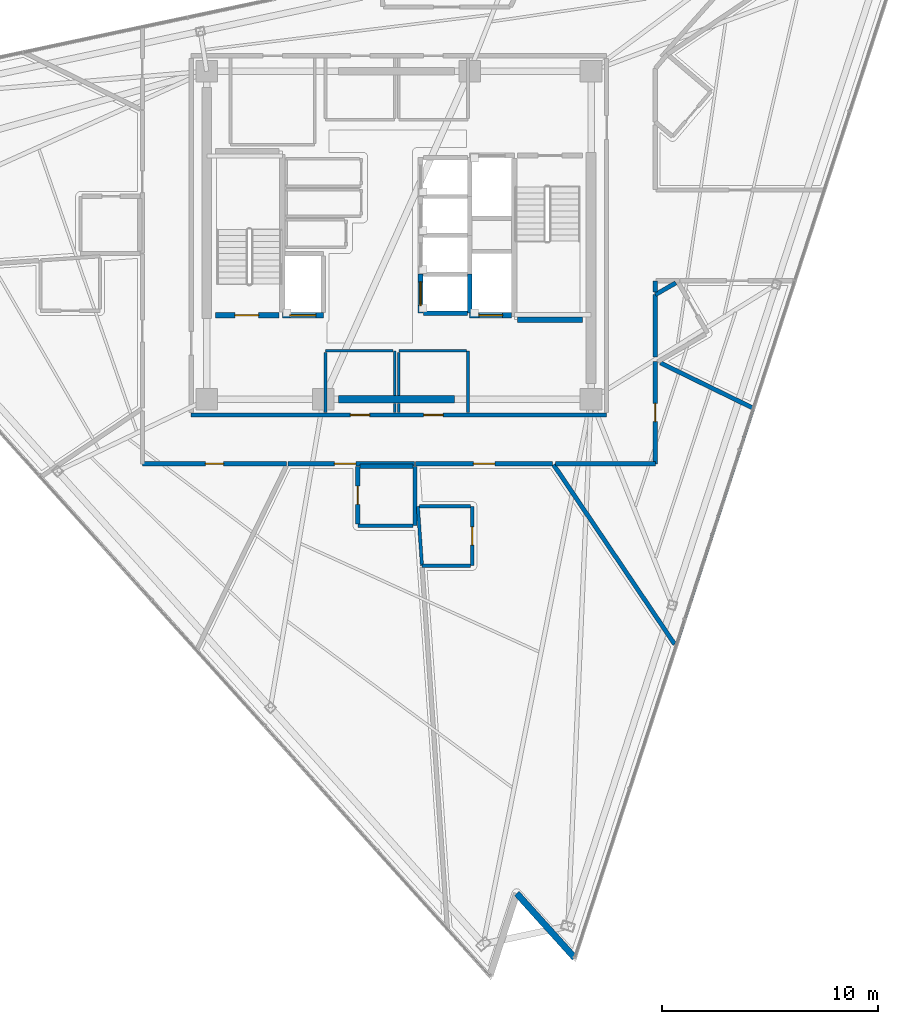
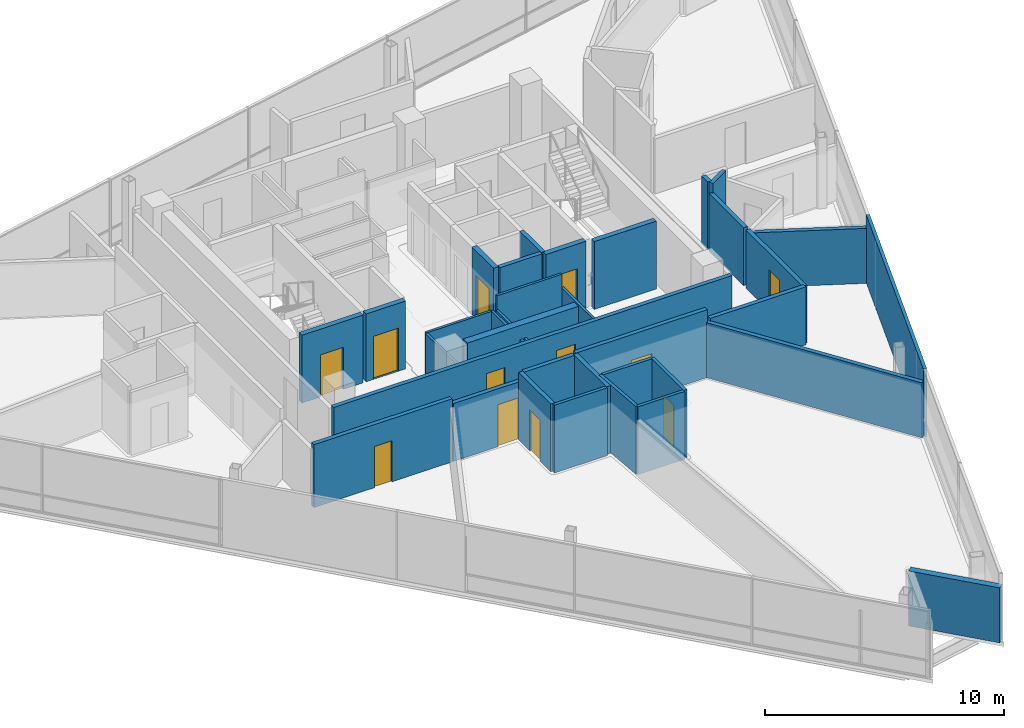
# One storey, part 10 of 18: 37 walls, 12 doors, 12 openings.
"""IFC4 building model written with IfcOpenShell, lengths in metres."""

from ifc_helpers import new_model, si_unit, direction, frame, frame_2d, origin, place, context, subcontext, project, spatial, rectangle, extrude, material, layer, layer_set, type_object, element, fill, save


model = new_model("IFC4")

# Units and contexts
model_context = context("Model", 3, precision=1e-05, world=origin(), true_north=direction((0.0, 1.0)))
body_context = subcontext(model_context, "Body", "Model", "MODEL_VIEW")
ifc_project = project(units=[si_unit("LENGTHUNIT", "METRE"), si_unit("AREAUNIT", "SQUARE_METRE"), si_unit("VOLUMEUNIT", "CUBIC_METRE"), si_unit("PLANEANGLEUNIT", "RADIAN"), si_unit("MASSUNIT", "GRAM", prefix="KILO")], contexts=[model_context])

# Site, building, storey
site_placement = place(None, origin())
site = spatial("IfcSite", under=ifc_project, at=site_placement, CompositionType="ELEMENT")
building_placement = place(site_placement, origin())
building = spatial("IfcBuilding", under=site, at=building_placement, Name="Tharavind Bronze Gate", CompositionType="ELEMENT")
storey_placement = place(building_placement, frame((0.0, 0.0, 287.050048828125)))
storey = spatial("IfcBuildingStorey", under=building, at=storey_placement, Name="L74", CompositionType="ELEMENT", Elevation=287.050048828125)

# Wall
ifc_material_1 = material(Name="Concrete C40/50", Category="concrete")
ifc_layer_1 = layer(ifc_material_1, 0.300048828125)
ifc_layer_set_1 = layer_set([ifc_layer_1], Name="Concrete C40/50")
wall_type_1 = type_object("IfcWallType", Name="EXTERIOR SPANDREL WALL 300", PredefinedType="STANDARD", material=ifc_layer_set_1)
wall_1_placement = place(storey_placement, frame((5.459228515625, -30.484130859375, 0.0), z_axis=(0.0, 0.0, 1.0), x_axis=(0.669132983361, -0.743142685208, 0.0)))
element("IfcWall", 1, at=wall_1_placement, inside=storey, type_object=wall_type_1, Name="L74 notch cheek wall 2B", PredefinedType="STANDARD", context=body_context, shape_type="SweptSolid", body=[
    extrude(rectangle(XDim=4.008056640625, YDim=0.300048828125, at=frame_2d((2.00390625, 0.0))), origin(), (0.0, 0.0, 1.0), 2.81005859375),
])

# Wall, openings, doors
ifc_material_2 = material(Name="Aerated Concrete Block", Category="concrete")
ifc_layer_2 = layer(ifc_material_2, 0.199951171875)
ifc_layer_set_2 = layer_set([ifc_layer_2], Name="Aerated Concrete Block")
wall_type_2 = type_object("IfcWallType", Name="FIRE RATED PARTITION 200", PredefinedType="PARTITIONING", material=ifc_layer_set_2)
wall_2_placement = place(storey_placement, frame((-9.6201171875, -8.320068359375, 0.0), z_axis=(0.0, 0.0, 1.0), x_axis=(1.0, 0.0, 0.0)))
wall_2 = element("IfcWall", 2, at=wall_2_placement, inside=storey, type_object=wall_type_2, Name="L74 south core corridor wall", PredefinedType="PARTITIONING", context=body_context, shape_type="SweptSolid", body=[
    extrude(rectangle(XDim=19.240234375, YDim=0.199951171875, at=frame_2d((9.6201171875, 0.0))), origin(), (0.0, 0.0, 1.0), 2.9599609375),
])
opening_1_placement = place(wall_2_placement, frame((7.3701171875, 0.0, 0.0)))
opening_1 = element("IfcOpeningElement", 3, at=opening_1_placement, cuts=wall_2, Name="Opening ID07", PredefinedType="OPENING", context=body_context, shape_type="SweptSolid", body=[
    extrude(rectangle(XDim=0.89990234375, YDim=2.10009765625, at=frame_2d((0.449951171875, 1.050048828125))), frame((0.0, 0.11009765625, 0.0), z_axis=(0.0, -1.0, 0.0), x_axis=(1.0, 0.0, 0.0)), (0.0, 0.0, 1.0), 0.219951171875),
])
opening_2_placement = place(wall_2_placement, frame((10.77001953125, 0.0, 0.0)))
opening_2 = element("IfcOpeningElement", 4, at=opening_2_placement, cuts=wall_2, Name="Opening ID07", PredefinedType="OPENING", context=body_context, shape_type="SweptSolid", body=[
    extrude(rectangle(XDim=0.89990234375, YDim=2.10009765625, at=frame_2d((0.449951171875, 1.050048828125))), frame((0.0, 0.11009765625, 0.0), z_axis=(0.0, -1.0, 0.0), x_axis=(1.0, 0.0, 0.0)), (0.0, 0.0, 1.0), 0.219951171875),
])
ifc_material_3 = material(Name="Galvanised Fire Steel", Category="steel")
door_type_1 = type_object("IfcDoorType", Name="PLANT AND RISER FIRE DOOR 900X2100", OperationType="SINGLE_SWING_LEFT", PredefinedType="DOOR", material=ifc_material_3)
door_1_placement = place(opening_1_placement, frame((0.89990234375, 0.0, 0.0), z_axis=(0.0, 0.0, 1.0), x_axis=(-1.0, 0.0, 0.0)))
door_1 = element("IfcDoor", 5, at=door_1_placement, inside=storey, type_object=door_type_1, Name="L74 Core Archive Store fire door", OperationType="SINGLE_SWING_LEFT", OverallHeight=2.10009765625, OverallWidth=0.89990234375, PredefinedType="DOOR", context=body_context, shape_type="SweptSolid", body=[
    extrude(rectangle(XDim=0.89990234375, YDim=2.10009765625, at=frame_2d((0.449951171875, 1.050048828125))), frame((0.0, 0.02490234375, 0.0), z_axis=(0.0, -1.0, 0.0), x_axis=(1.0, 0.0, 0.0)), (0.0, 0.0, 1.0), 0.050048828125),
])
fill(opening_1, door_1)
door_2_placement = place(opening_2_placement, frame((0.89990234375, 0.0, 0.0), z_axis=(0.0, 0.0, 1.0), x_axis=(-1.0, 0.0, 0.0)))
door_2 = element("IfcDoor", 6, at=door_2_placement, inside=storey, type_object=door_type_1, Name="L74 Core Server Room fire door", OperationType="SINGLE_SWING_LEFT", OverallHeight=2.10009765625, OverallWidth=0.89990234375, PredefinedType="DOOR", context=body_context, shape_type="SweptSolid", body=[
    extrude(rectangle(XDim=0.89990234375, YDim=2.10009765625, at=frame_2d((0.449951171875, 1.050048828125))), frame((0.0, 0.02490234375, 0.0), z_axis=(0.0, -1.0, 0.0), x_axis=(1.0, 0.0, 0.0)), (0.0, 0.0, 1.0), 0.050048828125),
])
fill(opening_2, door_2)

# Wall
wall_3_placement = place(storey_placement, frame((0.748291015625, -10.699951171875, 0.0), z_axis=(0.0, 0.0, 1.0), x_axis=(0.0, -1.0, 0.0)))
element("IfcWall", 7, at=wall_3_placement, inside=storey, type_object=wall_type_2, Name="L74 En-Suite Bathroom partition", PredefinedType="PARTITIONING", context=body_context, shape_type="SweptSolid", body=[
    extrude(rectangle(XDim=2.75, YDim=0.199951171875, at=frame_2d((1.375, 0.0))), origin(), (0.0, 0.0, 1.0), 3.46484375),
])

# Wall, opening, door
wall_4_placement = place(storey_placement, frame((-1.90185546875, -13.3701171875, 0.0), z_axis=(0.0, 0.0, 1.0), x_axis=(0.0, 1.0, 0.0)))
wall_4 = element("IfcWall", 8, at=wall_4_placement, inside=storey, type_object=wall_type_2, Name="L74 En-Suite Bathroom partition", PredefinedType="PARTITIONING", context=body_context, shape_type="SweptSolid", body=[
    extrude(rectangle(XDim=2.670166015625, YDim=0.199951171875, at=frame_2d((1.3349609375, 0.0))), origin(), (0.0, 0.0, 1.0), 3.46484375),
])
opening_3_placement = place(wall_4_placement, frame((0.909912109375, 0.0, 0.0)))
opening_3 = element("IfcOpeningElement", 9, at=opening_3_placement, cuts=wall_4, Name="Opening ID06", PredefinedType="OPENING", context=body_context, shape_type="SweptSolid", body=[
    extrude(rectangle(XDim=0.85009765625, YDim=2.10009765625, at=frame_2d((0.425048828125, 1.050048828125))), frame((0.0, 0.11009765625, 0.0), z_axis=(0.0, -1.0, 0.0), x_axis=(1.0, 0.0, 0.0)), (0.0, 0.0, 1.0), 0.219951171875),
])
ifc_material_4 = material(Name="Moisture-Resistant Timber", Category="wood")
door_type_2 = type_object("IfcDoorType", Name="BATHROOM PRIVACY DOOR 850X2100", OperationType="SINGLE_SWING_RIGHT", PredefinedType="DOOR", material=ifc_material_4)
door_3_placement = place(opening_3_placement, origin())
door_3 = element("IfcDoor", 10, at=door_3_placement, inside=storey, type_object=door_type_2, Name="L74 En-Suite Bathroom door", OperationType="SINGLE_SWING_RIGHT", OverallHeight=2.10009765625, OverallWidth=0.85009765625, PredefinedType="DOOR", context=body_context, shape_type="SweptSolid", body=[
    extrude(rectangle(XDim=0.85009765625, YDim=2.10009765625, at=frame_2d((0.425048828125, 1.050048828125))), frame((0.0, 0.02490234375, 0.0), z_axis=(0.0, -1.0, 0.0), x_axis=(1.0, 0.0, 0.0)), (0.0, 0.0, 1.0), 0.050048828125),
])
fill(opening_3, door_3)

# Walls
wall_5_placement = place(storey_placement, frame((-1.796875, -10.699951171875, 0.0), z_axis=(0.0, 0.0, 1.0), x_axis=(1.0, 0.0, 0.0)))
element("IfcWall", 11, at=wall_5_placement, inside=storey, type_object=wall_type_2, Name="L74 En-Suite Bathroom partition", PredefinedType="PARTITIONING", context=body_context, shape_type="SweptSolid", body=[
    extrude(rectangle(XDim=2.440185546875, YDim=0.199951171875, at=frame_2d((1.22021484375, 0.0))), origin(), (0.0, 0.0, 1.0), 3.46484375),
])
wall_6_placement = place(storey_placement, frame((11.8798828125, -5.64501953125, 0.0), z_axis=(0.0, 0.0, 1.0), x_axis=(0.0, 1.0, 0.0)))
element("IfcWall", 12, at=wall_6_placement, inside=storey, type_object=wall_type_2, Name="L74 En-Suite Bathroom partition", PredefinedType="PARTITIONING", context=body_context, shape_type="SweptSolid", body=[
    extrude(rectangle(XDim=2.8984375, YDim=0.199951171875, at=frame_2d((1.44921875, 0.0))), origin(), (0.0, 0.0, 1.0), 2.9599609375),
])
wall_7_placement = place(storey_placement, frame((11.8798828125, -2.74658203125, 0.0), z_axis=(0.0, 0.0, 1.0), x_axis=(0.86609656662, 0.499876722092, 0.0)))
element("IfcWall", 13, at=wall_7_placement, inside=storey, type_object=wall_type_2, Name="L74 En-Suite Bathroom partition", PredefinedType="PARTITIONING", context=body_context, shape_type="SweptSolid", body=[
    extrude(rectangle(XDim=1.095947265625, YDim=0.199951171875, at=frame_2d((0.5478515625, 0.0))), origin(), (0.0, 0.0, 1.0), 3.46484375),
])

# Wall, opening, door
wall_8_placement = place(storey_placement, frame((-11.87939453125, -10.580078125, 0.0), z_axis=(0.0, 0.0, 1.0), x_axis=(1.0, 0.0, 0.0)))
wall_8 = element("IfcWall", 14, at=wall_8_placement, inside=storey, type_object=wall_type_2, Name="L74 Public Restrooms Block partition", PredefinedType="PARTITIONING", context=body_context, shape_type="SweptSolid", body=[
    extrude(rectangle(XDim=6.67919921875, YDim=0.199951171875, at=frame_2d((3.339599609375, 0.0))), origin(), (0.0, 0.0, 1.0), 3.219970703125),
])
opening_4_placement = place(wall_8_placement, frame((2.9150390625, 0.0, 0.0)))
opening_4 = element("IfcOpeningElement", 15, at=opening_4_placement, cuts=wall_8, Name="Opening ID06", PredefinedType="OPENING", context=body_context, shape_type="SweptSolid", body=[
    extrude(rectangle(XDim=0.85009765625, YDim=2.10009765625, at=frame_2d((0.425048828125, 1.050048828125))), frame((0.0, 0.11009765625, 0.0), z_axis=(0.0, -1.0, 0.0), x_axis=(1.0, 0.0, 0.0)), (0.0, 0.0, 1.0), 0.219951171875),
])
door_4_placement = place(opening_4_placement, origin())
door_4 = element("IfcDoor", 16, at=door_4_placement, inside=storey, type_object=door_type_2, Name="L74 Public Restrooms Block door", OperationType="SINGLE_SWING_RIGHT", OverallHeight=2.10009765625, OverallWidth=0.85009765625, PredefinedType="DOOR", context=body_context, shape_type="SweptSolid", body=[
    extrude(rectangle(XDim=0.85009765625, YDim=2.10009765625, at=frame_2d((0.425048828125, 1.050048828125))), frame((0.0, 0.02490234375, 0.0), z_axis=(0.0, -1.0, 0.0), x_axis=(1.0, 0.0, 0.0)), (0.0, 0.0, 1.0), 0.050048828125),
])
fill(opening_4, door_4)

wall_9_placement = place(storey_placement, frame((11.8798828125, -10.579345703125, 0.0), z_axis=(0.0, 0.0, 1.0), x_axis=(0.0, 1.0, 0.0)))
wall_9 = element("IfcWall", 17, at=wall_9_placement, inside=storey, type_object=wall_type_2, Name="L74 Public Restrooms Block partition", PredefinedType="PARTITIONING", context=body_context, shape_type="SweptSolid", body=[
    extrude(rectangle(XDim=4.7451171875, YDim=0.199951171875, at=frame_2d((2.37255859375, 0.0))), origin(), (0.0, 0.0, 1.0), 2.9599609375),
])
opening_5_placement = place(wall_9_placement, frame((1.947998046875, 0.0, 0.0)))
opening_5 = element("IfcOpeningElement", 18, at=opening_5_placement, cuts=wall_9, Name="Opening ID06", PredefinedType="OPENING", context=body_context, shape_type="SweptSolid", body=[
    extrude(rectangle(XDim=0.85009765625, YDim=2.10009765625, at=frame_2d((0.425048828125, 1.050048828125))), frame((0.0, 0.11009765625, 0.0), z_axis=(0.0, -1.0, 0.0), x_axis=(1.0, 0.0, 0.0)), (0.0, 0.0, 1.0), 0.219951171875),
])
door_5_placement = place(opening_5_placement, origin())
door_5 = element("IfcDoor", 19, at=door_5_placement, inside=storey, type_object=door_type_2, Name="L74 Public Restrooms Block door", OperationType="SINGLE_SWING_RIGHT", OverallHeight=2.10009765625, OverallWidth=0.85009765625, PredefinedType="DOOR", context=body_context, shape_type="SweptSolid", body=[
    extrude(rectangle(XDim=0.85009765625, YDim=2.10009765625, at=frame_2d((0.425048828125, 1.050048828125))), frame((0.0, 0.02490234375, 0.0), z_axis=(0.0, -1.0, 0.0), x_axis=(1.0, 0.0, 0.0)), (0.0, 0.0, 1.0), 0.050048828125),
])
fill(opening_5, door_5)

# Walls
wall_10_placement = place(storey_placement, frame((12.114013671875, -5.908203125, 0.0), z_axis=(0.0, 0.0, 1.0), x_axis=(0.898773373644, -0.438413529476, 0.0)))
element("IfcWall", 20, at=wall_10_placement, inside=storey, type_object=wall_type_2, Name="L74 Public Restrooms Block partition", PredefinedType="PARTITIONING", context=body_context, shape_type="SweptSolid", body=[
    extrude(rectangle(XDim=4.76123046875, YDim=0.199951171875, at=frame_2d((2.380615234375, 0.0))), origin(), (0.0, 0.0, 1.0), 2.81005859375),
])
wall_11_placement = place(storey_placement, frame((12.775634765625, -18.940673828125, 0.0), z_axis=(0.0, 0.0, 1.0), x_axis=(-0.559187933526, 0.829040924804, 0.0)))
element("IfcWall", 21, at=wall_11_placement, inside=storey, type_object=wall_type_2, Name="L74 Public Restrooms Block partition", PredefinedType="PARTITIONING", context=body_context, shape_type="SweptSolid", body=[
    extrude(rectangle(XDim=10.037841796875, YDim=0.199951171875, at=frame_2d((5.01904296875, 0.0))), origin(), (0.0, 0.0, 1.0), 2.81005859375),
])
wall_12_placement = place(storey_placement, frame((7.262939453125, -10.580078125, 0.0), z_axis=(0.0, 0.0, 1.0), x_axis=(1.0, 0.0, 0.0)))
element("IfcWall", 22, at=wall_12_placement, inside=storey, type_object=wall_type_2, Name="L74 Public Restrooms Block partition", PredefinedType="PARTITIONING", context=body_context, shape_type="SweptSolid", body=[
    extrude(rectangle(XDim=4.616455078125, YDim=0.199951171875, at=frame_2d((2.30810546875, 0.0))), origin(), (0.0, 0.0, 1.0), 2.9599609375),
])

# Wall, opening, door
wall_13_placement = place(storey_placement, frame((-5.14453125, -10.580078125, 0.0), z_axis=(0.0, 0.0, 1.0), x_axis=(1.0, 0.0, 0.0)))
wall_13 = element("IfcWall", 23, at=wall_13_placement, inside=storey, type_object=wall_type_2, Name="L74 Deluxe Hotel Suite partition", PredefinedType="PARTITIONING", context=body_context, shape_type="SweptSolid", body=[
    extrude(rectangle(XDim=5.861083984375, YDim=0.199951171875, at=frame_2d((2.9306640625, 0.0))), origin(), (0.0, 0.0, 1.0), 2.9599609375),
])
opening_6_placement = place(wall_13_placement, frame((2.15087890625, 0.0, 0.0)))
opening_6 = element("IfcOpeningElement", 24, at=opening_6_placement, cuts=wall_13, Name="Opening ID03", PredefinedType="OPENING", context=body_context, shape_type="SweptSolid", body=[
    extrude(rectangle(XDim=1.0, YDim=2.14990234375, at=frame_2d((0.5, 1.074951171875))), frame((0.0, 0.11009765625, 0.0), z_axis=(0.0, -1.0, 0.0), x_axis=(1.0, 0.0, 0.0)), (0.0, 0.0, 1.0), 0.219951171875),
])
ifc_material_5 = material(Name="Solid Timber Veneer", Category="wood")
door_type_3 = type_object("IfcDoorType", Name="HOTEL SUITE ENTRANCE DOOR 1000X2150", OperationType="SINGLE_SWING_LEFT", PredefinedType="DOOR", material=ifc_material_5)
door_6_placement = place(opening_6_placement, origin())
door_6 = element("IfcDoor", 25, at=door_6_placement, inside=storey, type_object=door_type_3, Name="L74 Deluxe Hotel Suite door", OperationType="SINGLE_SWING_LEFT", OverallHeight=2.14990234375, OverallWidth=1.0, PredefinedType="DOOR", context=body_context, shape_type="SweptSolid", body=[
    extrude(rectangle(XDim=1.0, YDim=2.14990234375, at=frame_2d((0.5, 1.074951171875))), frame((0.0, 0.02490234375, 0.0), z_axis=(0.0, -1.0, 0.0), x_axis=(1.0, 0.0, 0.0)), (0.0, 0.0, 1.0), 0.050048828125),
])
fill(opening_6, door_6)

wall_14_placement = place(storey_placement, frame((0.7666015625, -10.580078125, 0.0), z_axis=(0.0, 0.0, 1.0), x_axis=(1.0, 0.0, 0.0)))
wall_14 = element("IfcWall", 26, at=wall_14_placement, inside=storey, type_object=wall_type_2, Name="L74 Deluxe Hotel Suite partition", PredefinedType="PARTITIONING", context=body_context, shape_type="SweptSolid", body=[
    extrude(rectangle(XDim=6.3564453125, YDim=0.199951171875, at=frame_2d((3.17822265625, 0.0))), origin(), (0.0, 0.0, 1.0), 3.46484375),
])
opening_7_placement = place(wall_14_placement, frame((2.677978515625, 0.0, 0.0)))
opening_7 = element("IfcOpeningElement", 27, at=opening_7_placement, cuts=wall_14, Name="Opening ID03", PredefinedType="OPENING", context=body_context, shape_type="SweptSolid", body=[
    extrude(rectangle(XDim=1.0, YDim=2.14990234375, at=frame_2d((0.5, 1.074951171875))), frame((0.0, 0.11009765625, 0.0), z_axis=(0.0, -1.0, 0.0), x_axis=(1.0, 0.0, 0.0)), (0.0, 0.0, 1.0), 0.219951171875),
])
door_7_placement = place(opening_7_placement, origin())
door_7 = element("IfcDoor", 28, at=door_7_placement, inside=storey, type_object=door_type_3, Name="L74 Deluxe Hotel Suite door", OperationType="SINGLE_SWING_LEFT", OverallHeight=2.14990234375, OverallWidth=1.0, PredefinedType="DOOR", context=body_context, shape_type="SweptSolid", body=[
    extrude(rectangle(XDim=1.0, YDim=2.14990234375, at=frame_2d((0.5, 1.074951171875))), frame((0.0, 0.02490234375, 0.0), z_axis=(0.0, -1.0, 0.0), x_axis=(1.0, 0.0, 0.0)), (0.0, 0.0, 1.0), 0.050048828125),
])
fill(opening_7, door_7)

# Walls
wall_15_placement = place(storey_placement, frame((11.8798828125, -2.62548828125, 0.0), z_axis=(0.0, 0.0, 1.0), x_axis=(0.0, 1.0, 0.0)))
element("IfcWall", 29, at=wall_15_placement, inside=storey, type_object=wall_type_2, Name="L74 Corner Hotel Suite partition", PredefinedType="PARTITIONING", context=body_context, shape_type="SweptSolid", body=[
    extrude(rectangle(XDim=0.50048828125, YDim=0.199951171875, at=frame_2d((0.250244140625, 0.0))), origin(), (0.0, 0.0, 1.0), 3.46484375),
])
ifc_material_6 = material(Name="Metal Stud Gypsum Partition", Category="gypsum")
ifc_layer_3 = layer(ifc_material_6, 0.1201171875)
ifc_layer_set_3 = layer_set([ifc_layer_3], Name="Metal Stud Gypsum Partition")
wall_type_3 = type_object("IfcWallType", Name="INTERIOR PARTITION WALL 120", PredefinedType="PARTITIONING", material=ifc_layer_set_3)
wall_16_placement = place(storey_placement, frame((-0.199951171875, -8.215087890625, 0.0), z_axis=(0.0, 0.0, 1.0), x_axis=(0.0, 1.0, 0.0)))
element("IfcWall", 30, at=wall_16_placement, inside=storey, type_object=wall_type_3, Name="L74 Core Archive Store partition 2", PredefinedType="PARTITIONING", context=body_context, shape_type="SweptSolid", body=[
    extrude(rectangle(XDim=0.43505859375, YDim=0.1201171875, at=frame_2d((0.217529296875, 0.0))), origin(), (0.0, 0.0, 1.0), 2.760009765625),
])
wall_17_placement = place(storey_placement, frame((-0.199951171875, -7.419921875, 0.0), z_axis=(0.0, 0.0, 1.0), x_axis=(0.0, 1.0, 0.0)))
element("IfcWall", 31, at=wall_17_placement, inside=storey, type_object=wall_type_3, Name="L74 Core Archive Store partition 2", PredefinedType="PARTITIONING", context=body_context, shape_type="SweptSolid", body=[
    extrude(rectangle(XDim=2.06982421875, YDim=0.1201171875, at=frame_2d((1.034912109375, 0.0))), origin(), (0.0, 0.0, 1.0), 2.760009765625),
])
wall_18_placement = place(storey_placement, frame((-0.264892578125, -5.35009765625, 0.0), z_axis=(0.0, 0.0, 1.0), x_axis=(-1.0, 0.0, 0.0)))
element("IfcWall", 32, at=wall_18_placement, inside=storey, type_object=wall_type_3, Name="L74 Core Archive Store partition 3", PredefinedType="PARTITIONING", context=body_context, shape_type="SweptSolid", body=[
    extrude(rectangle(XDim=3.135009765625, YDim=0.1201171875, at=frame_2d((1.5673828125, 0.0))), origin(), (0.0, 0.0, 1.0), 2.760009765625),
])
wall_19_placement = place(storey_placement, frame((-3.39990234375, -5.4150390625, 0.0), z_axis=(0.0, 0.0, 1.0), x_axis=(0.0, -1.0, 0.0)))
element("IfcWall", 33, at=wall_19_placement, inside=storey, type_object=wall_type_3, Name="L74 Core Archive Store partition 4", PredefinedType="PARTITIONING", context=body_context, shape_type="SweptSolid", body=[
    extrude(rectangle(XDim=2.800048828125, YDim=0.1201171875, at=frame_2d((1.39990234375, 0.0))), origin(), (0.0, 0.0, 1.0), 2.760009765625),
])
wall_20_placement = place(storey_placement, frame((3.199951171875, -8.215087890625, 0.0), z_axis=(0.0, 0.0, 1.0), x_axis=(0.0, 1.0, 0.0)))
element("IfcWall", 34, at=wall_20_placement, inside=storey, type_object=wall_type_3, Name="L74 Core Server Room partition 2", PredefinedType="PARTITIONING", context=body_context, shape_type="SweptSolid", body=[
    extrude(rectangle(XDim=2.864990234375, YDim=0.1201171875, at=frame_2d((1.4326171875, 0.0))), origin(), (0.0, 0.0, 1.0), 2.760009765625),
])
wall_21_placement = place(storey_placement, frame((3.135009765625, -5.35009765625, 0.0), z_axis=(0.0, 0.0, 1.0), x_axis=(-1.0, 0.0, 0.0)))
element("IfcWall", 35, at=wall_21_placement, inside=storey, type_object=wall_type_3, Name="L74 Core Server Room partition 3", PredefinedType="PARTITIONING", context=body_context, shape_type="SweptSolid", body=[
    extrude(rectangle(XDim=3.135009765625, YDim=0.1201171875, at=frame_2d((1.5673828125, 0.0))), origin(), (0.0, 0.0, 1.0), 3.46484375),
])
wall_22_placement = place(storey_placement, frame((0.0, -5.4150390625, 0.0), z_axis=(0.0, 0.0, 1.0), x_axis=(0.0, -1.0, 0.0)))
element("IfcWall", 36, at=wall_22_placement, inside=storey, type_object=wall_type_3, Name="L74 Core Server Room partition 4", PredefinedType="PARTITIONING", context=body_context, shape_type="SweptSolid", body=[
    extrude(rectangle(XDim=2.0048828125, YDim=0.1201171875, at=frame_2d((1.00244140625, 0.0))), origin(), (0.0, 0.0, 1.0), 2.760009765625),
])
wall_23_placement = place(storey_placement, frame((0.0, -7.780029296875, 0.0), z_axis=(0.0, 0.0, 1.0), x_axis=(0.0, -1.0, 0.0)))
element("IfcWall", 37, at=wall_23_placement, inside=storey, type_object=wall_type_3, Name="L74 Core Server Room partition 4", PredefinedType="PARTITIONING", context=body_context, shape_type="SweptSolid", body=[
    extrude(rectangle(XDim=0.43505859375, YDim=0.1201171875, at=frame_2d((0.217529296875, 0.0))), origin(), (0.0, 0.0, 1.0), 2.760009765625),
])
ifc_material_7 = material(Name="Twin Stud Acoustic Gypsum", Category="gypsum")
ifc_layer_4 = layer(ifc_material_7, 0.14990234375)
ifc_layer_set_4 = layer_set([ifc_layer_4], Name="Twin Stud Acoustic Gypsum")
wall_type_4 = type_object("IfcWallType", Name="INTERIOR PARTITION WALL 150", PredefinedType="PARTITIONING", material=ifc_layer_set_4)
wall_24_placement = place(storey_placement, frame((0.643310546875, -13.449951171875, 0.0), z_axis=(0.0, 0.0, 1.0), x_axis=(-1.0, 0.0, 0.0)))
element("IfcWall", 38, at=wall_24_placement, inside=storey, type_object=wall_type_4, Name="L74 En-Suite Bathroom partition", PredefinedType="PARTITIONING", context=body_context, shape_type="SweptSolid", body=[
    extrude(rectangle(XDim=2.545166015625, YDim=0.14990234375, at=frame_2d((1.2724609375, 0.0))), origin(), (0.0, 0.0, 1.0), 3.46484375),
])

# Wall, opening, door
wall_25_placement = place(storey_placement, frame((3.398193359375, -12.550048828125, 0.0), z_axis=(0.0, 0.0, 1.0), x_axis=(0.0, -1.0, 0.0)))
wall_25 = element("IfcWall", 39, at=wall_25_placement, inside=storey, type_object=wall_type_4, Name="L74 En-Suite Bathroom partition", PredefinedType="PARTITIONING", context=body_context, shape_type="SweptSolid", body=[
    extrude(rectangle(XDim=2.75, YDim=0.14990234375, at=frame_2d((1.375, 0.0))), origin(), (0.0, 0.0, 1.0), 3.46484375),
])
opening_8_placement = place(wall_25_placement, frame((0.949951171875, 0.0, 0.0)))
opening_8 = element("IfcOpeningElement", 40, at=opening_8_placement, cuts=wall_25, Name="Opening ID06", PredefinedType="OPENING", context=body_context, shape_type="SweptSolid", body=[
    extrude(rectangle(XDim=0.85009765625, YDim=2.10009765625, at=frame_2d((0.425048828125, 1.050048828125))), frame((0.0, 0.084951171875, 0.0), z_axis=(0.0, -1.0, 0.0), x_axis=(1.0, 0.0, 0.0)), (0.0, 0.0, 1.0), 0.16990234375),
])
door_8_placement = place(opening_8_placement, origin())
door_8 = element("IfcDoor", 41, at=door_8_placement, inside=storey, type_object=door_type_2, Name="L74 En-Suite Bathroom door", OperationType="SINGLE_SWING_RIGHT", OverallHeight=2.10009765625, OverallWidth=0.85009765625, PredefinedType="DOOR", context=body_context, shape_type="SweptSolid", body=[
    extrude(rectangle(XDim=0.85009765625, YDim=2.10009765625, at=frame_2d((0.425048828125, 1.050048828125))), frame((0.0, 0.02490234375, 0.0), z_axis=(0.0, -1.0, 0.0), x_axis=(1.0, 0.0, 0.0)), (0.0, 0.0, 1.0), 0.050048828125),
])
fill(opening_8, door_8)

# Walls
wall_26_placement = place(storey_placement, frame((3.318115234375, -15.300048828125, 0.0), z_axis=(0.0, 0.0, 1.0), x_axis=(-1.0, 0.0, 0.0)))
element("IfcWall", 42, at=wall_26_placement, inside=storey, type_object=wall_type_4, Name="L74 En-Suite Bathroom partition", PredefinedType="PARTITIONING", context=body_context, shape_type="SweptSolid", body=[
    extrude(rectangle(XDim=2.248291015625, YDim=0.14990234375, at=frame_2d((1.1240234375, 0.0))), origin(), (0.0, 0.0, 1.0), 3.46484375),
])
wall_27_placement = place(storey_placement, frame((1.06982421875, -15.300048828125, 0.0), z_axis=(0.0, 0.0, 1.0), x_axis=(-0.069698693715, 0.997568088952, 0.0)))
element("IfcWall", 43, at=wall_27_placement, inside=storey, type_object=wall_type_4, Name="L74 En-Suite Bathroom partition", PredefinedType="PARTITIONING", context=body_context, shape_type="SweptSolid", body=[
    extrude(rectangle(XDim=2.756591796875, YDim=0.14990234375, at=frame_2d((1.37841796875, 0.0))), origin(), (0.0, 0.0, 1.0), 3.46484375),
])
wall_28_placement = place(storey_placement, frame((0.957763671875, -12.550048828125, 0.0), z_axis=(0.0, 0.0, 1.0), x_axis=(1.0, 0.0, 0.0)))
element("IfcWall", 44, at=wall_28_placement, inside=storey, type_object=wall_type_4, Name="L74 En-Suite Bathroom partition", PredefinedType="PARTITIONING", context=body_context, shape_type="SweptSolid", body=[
    extrude(rectangle(XDim=2.3603515625, YDim=0.14990234375, at=frame_2d((1.18017578125, 0.0))), origin(), (0.0, 0.0, 1.0), 3.46484375),
])
wall_29_placement = place(storey_placement, frame((16.40625, -8.02587890625, 0.0), z_axis=(0.0, 0.0, 1.0), x_axis=(-0.309030454155, -0.951052142842, 0.0)))
element("IfcWall", 45, at=wall_29_placement, inside=storey, type_object=wall_type_4, Name="L74 Public Restrooms Block partition", PredefinedType="PARTITIONING", context=body_context, shape_type="SweptSolid", body=[
    extrude(rectangle(XDim=11.513671875, YDim=0.14990234375, at=frame_2d((5.7568359375, 0.0))), origin(), (0.0, 0.0, 1.0), 3.46484375),
])

# Wall, opening, door
ifc_material_8 = material(Name="Concrete C50/60", Category="concrete")
ifc_layer_5 = layer(ifc_material_8, 0.25)
ifc_layer_set_5 = layer_set([ifc_layer_5], Name="Concrete C50/60")
wall_type_5 = type_object("IfcWallType", Name="RC CORE SHEAR WALL 250", PredefinedType="SHEAR", material=ifc_layer_set_5)
wall_30_placement = place(storey_placement, frame((-8.5, -3.699951171875, 0.0), z_axis=(0.0, 0.0, 1.0), x_axis=(1.0, 0.0, 0.0)))
wall_30 = element("IfcWall", 46, at=wall_30_placement, inside=storey, type_object=wall_type_5, Name="L74 ST1 shaft south wall", PredefinedType="SHEAR", context=body_context, shape_type="SweptSolid", body=[
    extrude(rectangle(XDim=2.949951171875, YDim=0.25, at=frame_2d((1.47509765625, 0.0))), origin(), (0.0, 0.0, 1.0), 3.46484375),
])
opening_9_placement = place(wall_30_placement, frame((0.89990234375, 0.0, 0.0)))
opening_9 = element("IfcOpeningElement", 47, at=opening_9_placement, cuts=wall_30, Name="Opening ID01", PredefinedType="OPENING", context=body_context, shape_type="SweptSolid", body=[
    extrude(rectangle(XDim=1.10009765625, YDim=2.14990234375, at=frame_2d((0.550048828125, 1.074951171875))), frame((0.0, 0.135, 0.0), z_axis=(0.0, -1.0, 0.0), x_axis=(1.0, 0.0, 0.0)), (0.0, 0.0, 1.0), 0.27),
])
ifc_material_9 = material(Name="Fire-Rated Steel", Category="steel")
door_type_4 = type_object("IfcDoorType", Name="STAIR CORE FIRE DOOR 1100X2150", OperationType="SINGLE_SWING_LEFT", PredefinedType="DOOR", material=ifc_material_9)
door_9_placement = place(opening_9_placement, origin())
door_9 = element("IfcDoor", 48, at=door_9_placement, inside=storey, type_object=door_type_4, Name="L74 exit stair ST1 fire door", OperationType="SINGLE_SWING_LEFT", OverallHeight=2.14990234375, OverallWidth=1.10009765625, PredefinedType="DOOR", context=body_context, shape_type="SweptSolid", body=[
    extrude(rectangle(XDim=1.10009765625, YDim=2.14990234375, at=frame_2d((0.550048828125, 1.074951171875))), frame((0.0, 0.02490234375, 0.0), z_axis=(0.0, -1.0, 0.0), x_axis=(1.0, 0.0, 0.0)), (0.0, 0.0, 1.0), 0.050048828125),
])
fill(opening_9, door_9)

# Wall
wall_31_placement = place(storey_placement, frame((5.5, -3.89990234375, 0.0), z_axis=(0.0, 0.0, 1.0), x_axis=(1.0, 0.0, 0.0)))
element("IfcWall", 49, at=wall_31_placement, inside=storey, type_object=wall_type_5, Name="L74 ST2 shaft south wall", PredefinedType="SHEAR", context=body_context, shape_type="SweptSolid", body=[
    extrude(rectangle(XDim=3.0, YDim=0.25, at=frame_2d((1.5, 0.0))), origin(), (0.0, 0.0, 1.0), 3.46484375),
])

# Wall, opening, door
wall_32_placement = place(storey_placement, frame((1.0, -3.60009765625, 0.0), z_axis=(0.0, 0.0, 1.0), x_axis=(0.0, 1.0, 0.0)))
wall_32 = element("IfcWall", 50, at=wall_32_placement, inside=storey, type_object=wall_type_5, Name="L74 lift PL9 shaft front wall", PredefinedType="SHEAR", context=body_context, shape_type="SweptSolid", body=[
    extrude(rectangle(XDim=1.800048828125, YDim=0.25, at=frame_2d((0.89990234375, 0.0))), origin(), (0.0, 0.0, 1.0), 3.46484375),
])
opening_10_placement = place(wall_32_placement, frame((0.35009765625, 0.0, 0.0)))
opening_10 = element("IfcOpeningElement", 51, at=opening_10_placement, cuts=wall_32, Name="Opening LD01", PredefinedType="OPENING", context=body_context, shape_type="SweptSolid", body=[
    extrude(rectangle(XDim=1.10009765625, YDim=2.199951171875, at=frame_2d((0.550048828125, 1.10009765625))), frame((0.0, 0.135, 0.0), z_axis=(0.0, -1.0, 0.0), x_axis=(1.0, 0.0, 0.0)), (0.0, 0.0, 1.0), 0.27),
])
ifc_material_10 = material(Name="Brushed Bronze Stainless Steel", Category="steel")
door_type_5 = type_object("IfcDoorType", Name="LIFT LANDING SLIDING DOOR 1100X2200", OperationType="SLIDING_TO_LEFT", PredefinedType="DOOR", material=ifc_material_10)
door_10_placement = place(opening_10_placement, origin())
door_10 = element("IfcDoor", 52, at=door_10_placement, inside=storey, type_object=door_type_5, Name="L74 lift PL9 sliding landing door", OperationType="SLIDING_TO_LEFT", OverallHeight=2.199951171875, OverallWidth=1.10009765625, PredefinedType="DOOR", context=body_context, shape_type="SweptSolid", body=[
    extrude(rectangle(XDim=1.10009765625, YDim=2.199951171875, at=frame_2d((0.550048828125, 1.10009765625))), frame((0.0, 0.02490234375, 0.0), z_axis=(0.0, -1.0, 0.0), x_axis=(1.0, 0.0, 0.0)), (0.0, 0.0, 1.0), 0.050048828125),
])
fill(opening_10, door_10)

wall_33_placement = place(storey_placement, frame((-5.39990234375, -3.699951171875, 0.0), z_axis=(0.0, 0.0, 1.0), x_axis=(1.0, 0.0, 0.0)))
wall_33 = element("IfcWall", 53, at=wall_33_placement, inside=storey, type_object=wall_type_5, Name="L74 lift FFL1 shaft front wall", PredefinedType="SHEAR", context=body_context, shape_type="SweptSolid", body=[
    extrude(rectangle(XDim=1.89990234375, YDim=0.25, at=frame_2d((0.949951171875, 0.0))), origin(), (0.0, 0.0, 1.0), 3.46484375),
])
opening_11_placement = place(wall_33_placement, frame((0.35009765625, 0.0, 0.0)))
opening_11 = element("IfcOpeningElement", 54, at=opening_11_placement, cuts=wall_33, Name="Opening LD02", PredefinedType="OPENING", context=body_context, shape_type="SweptSolid", body=[
    extrude(rectangle(XDim=1.199951171875, YDim=2.199951171875, at=frame_2d((0.60009765625, 1.10009765625))), frame((0.0, 0.135, 0.0), z_axis=(0.0, -1.0, 0.0), x_axis=(1.0, 0.0, 0.0)), (0.0, 0.0, 1.0), 0.27),
])
ifc_material_11 = material(Name="Brushed Stainless Steel", Category="steel")
door_type_6 = type_object("IfcDoorType", Name="FIREFIGHTING LIFT LANDING DOOR 1200X2200", OperationType="SLIDING_TO_RIGHT", PredefinedType="DOOR", material=ifc_material_11)
door_11_placement = place(opening_11_placement, origin())
door_11 = element("IfcDoor", 55, at=door_11_placement, inside=storey, type_object=door_type_6, Name="L74 lift FFL1 sliding landing door", OperationType="SLIDING_TO_RIGHT", OverallHeight=2.199951171875, OverallWidth=1.199951171875, PredefinedType="DOOR", context=body_context, shape_type="SweptSolid", body=[
    extrude(rectangle(XDim=1.199951171875, YDim=2.199951171875, at=frame_2d((0.60009765625, 1.10009765625))), frame((0.0, 0.02490234375, 0.0), z_axis=(0.0, -1.0, 0.0), x_axis=(1.0, 0.0, 0.0)), (0.0, 0.0, 1.0), 0.050048828125),
])
fill(opening_11, door_11)

wall_34_placement = place(storey_placement, frame((3.280029296875, -3.699951171875, 0.0), z_axis=(0.0, 0.0, 1.0), x_axis=(1.0, 0.0, 0.0)))
wall_34 = element("IfcWall", 56, at=wall_34_placement, inside=storey, type_object=wall_type_5, Name="L74 lift SVL1 shaft front wall", PredefinedType="SHEAR", context=body_context, shape_type="SweptSolid", body=[
    extrude(rectangle(XDim=1.93994140625, YDim=0.25, at=frame_2d((0.969970703125, 0.0))), origin(), (0.0, 0.0, 1.0), 3.46484375),
])
opening_12_placement = place(wall_34_placement, frame((0.419921875, 0.0, 0.0)))
opening_12 = element("IfcOpeningElement", 57, at=opening_12_placement, cuts=wall_34, Name="Opening LD01", PredefinedType="OPENING", context=body_context, shape_type="SweptSolid", body=[
    extrude(rectangle(XDim=1.10009765625, YDim=2.199951171875, at=frame_2d((0.550048828125, 1.10009765625))), frame((0.0, 0.135, 0.0), z_axis=(0.0, -1.0, 0.0), x_axis=(1.0, 0.0, 0.0)), (0.0, 0.0, 1.0), 0.27),
])
door_12_placement = place(opening_12_placement, origin())
door_12 = element("IfcDoor", 58, at=door_12_placement, inside=storey, type_object=door_type_5, Name="L74 lift SVL1 sliding landing door", OperationType="SLIDING_TO_LEFT", OverallHeight=2.199951171875, OverallWidth=1.10009765625, PredefinedType="DOOR", context=body_context, shape_type="SweptSolid", body=[
    extrude(rectangle(XDim=1.10009765625, YDim=2.199951171875, at=frame_2d((0.550048828125, 1.10009765625))), frame((0.0, 0.02490234375, 0.0), z_axis=(0.0, -1.0, 0.0), x_axis=(1.0, 0.0, 0.0)), (0.0, 0.0, 1.0), 0.050048828125),
])
fill(opening_12, door_12)

# Walls
ifc_layer_6 = layer(ifc_material_8, 0.35009765625)
ifc_layer_set_6 = layer_set([ifc_layer_6], Name="Concrete C50/60")
wall_type_6 = type_object("IfcWallType", Name="RC CORE SHEAR WALL 350", PredefinedType="SHEAR", material=ifc_layer_set_6)
wall_35_placement = place(storey_placement, frame((-2.800048828125, -7.60009765625, 0.0), z_axis=(0.0, 0.0, 1.0), x_axis=(1.0, 0.0, 0.0)))
element("IfcWall", 59, at=wall_35_placement, inside=storey, type_object=wall_type_6, Name="L74 south core shear wall", PredefinedType="SHEAR", context=body_context, shape_type="SweptSolid", body=[
    extrude(rectangle(XDim=5.380126953125, YDim=0.35009765625, at=frame_2d((2.68994140625, 0.0))), origin(), (0.0, 0.0, 1.0), 3.46484375),
])
ifc_layer_7 = layer(ifc_material_1, 0.199951171875)
ifc_layer_set_7 = layer_set([ifc_layer_7], Name="Concrete C40/50")
wall_type_7 = type_object("IfcWallType", Name="SHAFT ENCLOSURE WALL 200", PredefinedType="PARTITIONING", material=ifc_layer_set_7)
wall_36_placement = place(storey_placement, frame((3.280029296875, -3.60009765625, 0.0), z_axis=(0.0, 0.0, 1.0), x_axis=(0.0, 1.0, 0.0)))
element("IfcWall", 60, at=wall_36_placement, inside=storey, type_object=wall_type_7, Name="L74 lift PL9 shaft E enclosure wall", PredefinedType="PARTITIONING", context=body_context, shape_type="SweptSolid", body=[
    extrude(rectangle(XDim=1.800048828125, YDim=0.199951171875, at=frame_2d((0.89990234375, 0.0))), origin(), (0.0, 0.0, 1.0), 3.46484375),
])
wall_37_placement = place(storey_placement, frame((1.1298828125, -3.60009765625, 0.0), z_axis=(0.0, 0.0, 1.0), x_axis=(1.0, 0.0, 0.0)))
element("IfcWall", 61, at=wall_37_placement, inside=storey, type_object=wall_type_7, Name="L74 lift PL9 shaft S enclosure wall", PredefinedType="PARTITIONING", context=body_context, shape_type="SweptSolid", body=[
    extrude(rectangle(XDim=2.045166015625, YDim=0.199951171875, at=frame_2d((1.0224609375, 0.0))), origin(), (0.0, 0.0, 1.0), 3.46484375),
])

save(model, "model.ifc")
